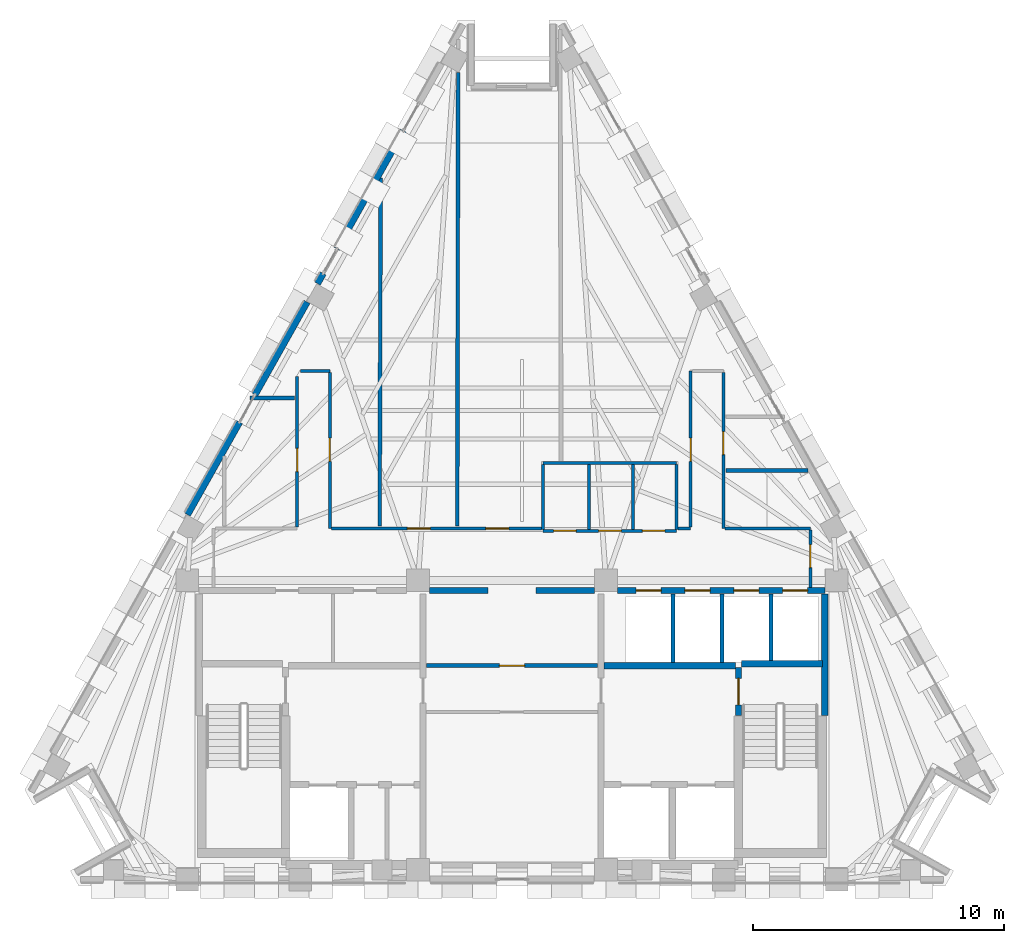
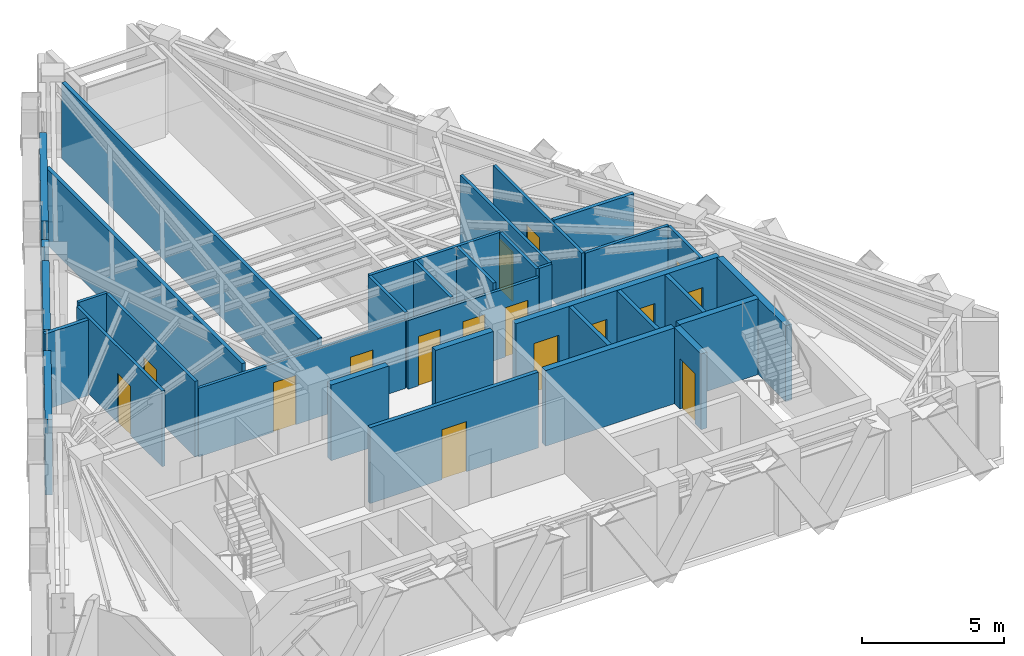
# One storey, part 6 of 9: 34 walls, 16 doors, 16 openings.
"""IFC4 building model written with IfcOpenShell, lengths in metres."""

from ifc_helpers import new_model, si_unit, direction, frame, frame_2d, origin, place, context, subcontext, project, spatial, rectangle, extrude, material, layer, layer_set, type_object, element, fill, save


model = new_model("IFC4")

# Units and contexts
model_context = context("Model", 3, precision=1e-05, world=origin(), true_north=direction((0.0, 1.0)))
body_context = subcontext(model_context, "Body", "Model", "MODEL_VIEW")
ifc_project = project(units=[si_unit("LENGTHUNIT", "METRE"), si_unit("AREAUNIT", "SQUARE_METRE"), si_unit("VOLUMEUNIT", "CUBIC_METRE"), si_unit("PLANEANGLEUNIT", "RADIAN"), si_unit("MASSUNIT", "GRAM", prefix="KILO")], contexts=[model_context])

# Site, building, storey
site_placement = place(None, origin())
site = spatial("IfcSite", under=ifc_project, at=site_placement, CompositionType="ELEMENT")
building_placement = place(site_placement, origin())
building = spatial("IfcBuilding", under=site, at=building_placement, Name="Quenlor Broadcast Tower", CompositionType="ELEMENT")
storey_placement = place(building_placement, frame((0.0, 0.0, 260.39990234375)))
storey = spatial("IfcBuildingStorey", under=building, at=storey_placement, Name="L72", CompositionType="ELEMENT", Elevation=260.39990234375)

# Walls
ifc_material_1 = material(Name="Acoustic Double Stud Gypsum Partition", Category="other")
ifc_layer_1 = layer(ifc_material_1, 0.14990234375)
ifc_layer_set_1 = layer_set([ifc_layer_1], Name="Broadcast Studio Acoustic Partition 150")
wall_type_1 = type_object("IfcWallType", Name="Broadcast Studio Acoustic Partition 150", PredefinedType="PARTITIONING", material=ifc_layer_set_1)
wall_1_placement = place(storey_placement, frame((-2.184326171875, -2.6201171875, 0.0), z_axis=(0.0, 0.0, 1.0), x_axis=(0.002010385197, 0.999997979174, 0.0)))
element("IfcWall", 1, at=wall_1_placement, inside=storey, type_object=wall_type_1, Name="L72 Interior Wall PW-DV-02", PredefinedType="PARTITIONING", context=body_context, shape_type="SweptSolid", body=[
    extrude(rectangle(XDim=18.094482421875, YDim=0.14990234375, at=frame_2d((9.04736328125, 0.0))), origin(), (0.0, 0.0, 1.0), 3.25),
])
wall_2_placement = place(storey_placement, frame((-5.279541015625, -2.6201171875, 0.0), z_axis=(0.0, 0.0, 1.0), x_axis=(0.002780553459, 0.999996134254, 0.0)))
element("IfcWall", 2, at=wall_2_placement, inside=storey, type_object=wall_type_1, Name="L72 Interior Wall PW-DV-04", PredefinedType="PARTITIONING", context=body_context, shape_type="SweptSolid", body=[
    extrude(rectangle(XDim=13.872802734375, YDim=0.14990234375, at=frame_2d((6.9365234375, 0.0))), origin(), (0.0, 0.0, 1.0), 3.25),
])
wall_3_placement = place(storey_placement, frame((-8.679931640625, 2.47998046875, 0.0), z_axis=(0.0, 0.0, 1.0), x_axis=(-1.0, 0.0, 0.0)))
element("IfcWall", 3, at=wall_3_placement, inside=storey, type_object=wall_type_1, Name="L72 Interior Wall PW-DV-05", PredefinedType="PARTITIONING", context=body_context, shape_type="SweptSolid", body=[
    extrude(rectangle(XDim=1.767578125, YDim=0.14990234375, at=frame_2d((0.8837890625, 0.0))), origin(), (0.0, 0.0, 1.0), 3.25),
])
wall_4_placement = place(storey_placement, frame((11.80126953125, -0.410400390625, 0.0), z_axis=(0.0, 0.0, 1.0), x_axis=(-1.0, 0.0, 0.0)))
element("IfcWall", 4, at=wall_4_placement, inside=storey, type_object=wall_type_1, Name="L72 Interior Wall PW-DV-06", PredefinedType="PARTITIONING", context=body_context, shape_type="SweptSolid", body=[
    extrude(rectangle(XDim=3.26123046875, YDim=0.14990234375, at=frame_2d((1.630615234375, 0.0))), origin(), (0.0, 0.0, 1.0), 3.25),
])

# Wall, opening, door
ifc_material_2 = material(Name="Concrete C40/50", Category="concrete")
ifc_layer_2 = layer(ifc_material_2, 0.25)
ifc_layer_set_2 = layer_set([ifc_layer_2], Name="Fire Rated Concrete C40/50 Core Wall 250")
wall_type_2 = type_object("IfcWallType", Name="Fire Rated Concrete C40/50 Core Wall 250", PredefinedType="PARTITIONING", material=ifc_layer_set_2)
wall_5_placement = place(storey_placement, frame((9.0400390625, -10.179931640625, 0.0), z_axis=(0.0, 0.0, 1.0), x_axis=(0.0, 1.0, 0.0)))
wall_5 = element("IfcWall", 5, at=wall_5_placement, inside=storey, type_object=wall_type_2, Name="L72 Interior Wall CW-ST2-DR", PredefinedType="PARTITIONING", context=body_context, shape_type="SweptSolid", body=[
    extrude(rectangle(XDim=1.89990234375, YDim=0.25, at=frame_2d((0.949951171875, 0.0))), origin(), (0.0, 0.0, 1.0), 3.25),
])
opening_1_placement = place(wall_5_placement, frame((0.419921875, 0.0, 0.0)))
opening_1 = element("IfcOpeningElement", 6, at=opening_1_placement, cuts=wall_5, Name="Opening FD-1", PredefinedType="OPENING", context=body_context, shape_type="SweptSolid", body=[
    extrude(rectangle(XDim=1.050048828125, YDim=2.14990234375, at=frame_2d((0.52490234375, 1.074951171875))), frame((0.0, 0.135009765625, 0.0), z_axis=(0.0, -1.0, 0.0), x_axis=(1.0, 0.0, 0.0)), (0.0, 0.0, 1.0), 0.27001953125),
])
ifc_material_3 = material(Name="Fire Rated Steel Door Leaf", Category="steel")
door_type_1 = type_object("IfcDoorType", Name="Fire Isolated Stair Door 1050x2150", OperationType="NOTDEFINED", PredefinedType="DOOR", material=ifc_material_3)
door_1_placement = place(opening_1_placement, origin())
door_1 = element("IfcDoor", 7, at=door_1_placement, inside=storey, type_object=door_type_1, Name="L72 Door DR-ST2", OperationType="SINGLE_SWING_RIGHT", OverallHeight=2.14990234375, OverallWidth=1.050048828125, PredefinedType="DOOR", context=body_context, shape_type="SweptSolid", body=[
    extrude(rectangle(XDim=1.050048828125, YDim=2.14990234375, at=frame_2d((0.52490234375, 1.074951171875))), frame((0.0, 0.02490234375, 0.0), z_axis=(0.0, -1.0, 0.0), x_axis=(1.0, 0.0, 0.0)), (0.0, 0.0, 1.0), 0.050048828125),
])
fill(opening_1, door_1)

# Walls
wall_6_placement = place(storey_placement, frame((9.159912109375, -8.1201171875, 0.0), z_axis=(0.0, 0.0, 1.0), x_axis=(1.0, 0.0, 0.0)))
element("IfcWall", 8, at=wall_6_placement, inside=storey, type_object=wall_type_2, Name="L72 Interior Wall CW-ST2-N", PredefinedType="PARTITIONING", context=body_context, shape_type="SweptSolid", body=[
    extrude(rectangle(XDim=3.219970703125, YDim=0.25, at=frame_2d((1.60986328125, 0.0))), origin(), (0.0, 0.0, 1.0), 3.25),
])
wall_7_placement = place(storey_placement, frame((12.47998046875, -10.179931640625, 0.0), z_axis=(0.0, 0.0, 1.0), x_axis=(0.0, 1.0, 0.0)))
element("IfcWall", 9, at=wall_7_placement, inside=storey, type_object=wall_type_2, Name="L72 Interior Wall CW-ST2-E2", PredefinedType="PARTITIONING", context=body_context, shape_type="SweptSolid", body=[
    extrude(rectangle(XDim=4.83984375, YDim=0.25, at=frame_2d((2.419921875, 0.0))), origin(), (0.0, 0.0, 1.0), 3.25),
])
wall_8_placement = place(storey_placement, frame((3.679931640625, -8.199951171875, 0.0), z_axis=(0.0, 0.0, 1.0), x_axis=(1.0, 0.0, 0.0)))
element("IfcWall", 10, at=wall_8_placement, inside=storey, type_object=wall_type_2, Name="L72 Interior Wall CW-FFE-N", PredefinedType="PARTITIONING", context=body_context, shape_type="SweptSolid", body=[
    extrude(rectangle(XDim=5.239990234375, YDim=0.25, at=frame_2d((2.6201171875, 0.0))), origin(), (0.0, 0.0, 1.0), 3.25),
])

# Wall, openings, doors
wall_9_placement = place(storey_placement, frame((4.201904296875, -5.199951171875, 0.0), z_axis=(0.0, 0.0, 1.0), x_axis=(1.0, 0.0, 0.0)))
wall_9 = element("IfcWall", 11, at=wall_9_placement, inside=storey, type_object=wall_type_2, Name="L72 Interior Wall CW-N-E", PredefinedType="PARTITIONING", context=body_context, shape_type="SweptSolid", body=[
    extrude(rectangle(XDim=8.278076171875, YDim=0.25, at=frame_2d((4.13916015625, 0.0))), origin(), (0.0, 0.0, 1.0), 3.25),
])
opening_2_placement = place(wall_9_placement, frame((0.748046875, 0.0, 0.0)))
opening_2 = element("IfcOpeningElement", 12, at=opening_2_placement, cuts=wall_9, Name="Opening LD-PL-H1", PredefinedType="OPENING", context=body_context, shape_type="SweptSolid", body=[
    extrude(rectangle(XDim=1.0, YDim=2.14990234375, at=frame_2d((0.5, 1.074951171875))), frame((0.0, 0.135009765625, 0.0), z_axis=(0.0, -1.0, 0.0), x_axis=(1.0, 0.0, 0.0)), (0.0, 0.0, 1.0), 0.27001953125),
])
opening_3_placement = place(wall_9_placement, frame((2.697998046875, 0.0, 0.0)))
opening_3 = element("IfcOpeningElement", 13, at=opening_3_placement, cuts=wall_9, Name="Opening LD-PL-H2", PredefinedType="OPENING", context=body_context, shape_type="SweptSolid", body=[
    extrude(rectangle(XDim=1.0, YDim=2.14990234375, at=frame_2d((0.5, 1.074951171875))), frame((0.0, 0.135009765625, 0.0), z_axis=(0.0, -1.0, 0.0), x_axis=(1.0, 0.0, 0.0)), (0.0, 0.0, 1.0), 0.27001953125),
])
opening_4_placement = place(wall_9_placement, frame((4.64794921875, 0.0, 0.0)))
opening_4 = element("IfcOpeningElement", 14, at=opening_4_placement, cuts=wall_9, Name="Opening LD-PL-H3", PredefinedType="OPENING", context=body_context, shape_type="SweptSolid", body=[
    extrude(rectangle(XDim=1.0, YDim=2.14990234375, at=frame_2d((0.5, 1.074951171875))), frame((0.0, 0.135009765625, 0.0), z_axis=(0.0, -1.0, 0.0), x_axis=(1.0, 0.0, 0.0)), (0.0, 0.0, 1.0), 0.27001953125),
])
opening_5_placement = place(wall_9_placement, frame((6.597900390625, 0.0, 0.0)))
opening_5 = element("IfcOpeningElement", 15, at=opening_5_placement, cuts=wall_9, Name="Opening LD-PL-H4", PredefinedType="OPENING", context=body_context, shape_type="SweptSolid", body=[
    extrude(rectangle(XDim=1.0, YDim=2.14990234375, at=frame_2d((0.5, 1.074951171875))), frame((0.0, 0.135009765625, 0.0), z_axis=(0.0, -1.0, 0.0), x_axis=(1.0, 0.0, 0.0)), (0.0, 0.0, 1.0), 0.27001953125),
])
ifc_material_4 = material(Name="Brushed Stainless Steel", Category="steel")
door_type_2 = type_object("IfcDoorType", Name="Passenger Lift Sliding Landing Door 1000x2150", OperationType="NOTDEFINED", PredefinedType="DOOR", material=ifc_material_4)
door_2_placement = place(opening_2_placement, origin())
door_2 = element("IfcDoor", 16, at=door_2_placement, inside=storey, type_object=door_type_2, Name="L72 Door LD-PL-H1", OperationType="SLIDING_TO_RIGHT", OverallHeight=2.14990234375, OverallWidth=1.0, PredefinedType="DOOR", context=body_context, shape_type="SweptSolid", body=[
    extrude(rectangle(XDim=1.0, YDim=2.14990234375, at=frame_2d((0.5, 1.074951171875))), frame((0.0, 0.02490234375, 0.0), z_axis=(0.0, -1.0, 0.0), x_axis=(1.0, 0.0, 0.0)), (0.0, 0.0, 1.0), 0.050048828125),
])
fill(opening_2, door_2)
door_3_placement = place(opening_3_placement, origin())
door_3 = element("IfcDoor", 17, at=door_3_placement, inside=storey, type_object=door_type_2, Name="L72 Door LD-PL-H2", OperationType="SLIDING_TO_RIGHT", OverallHeight=2.14990234375, OverallWidth=1.0, PredefinedType="DOOR", context=body_context, shape_type="SweptSolid", body=[
    extrude(rectangle(XDim=1.0, YDim=2.14990234375, at=frame_2d((0.5, 1.074951171875))), frame((0.0, 0.02490234375, 0.0), z_axis=(0.0, -1.0, 0.0), x_axis=(1.0, 0.0, 0.0)), (0.0, 0.0, 1.0), 0.050048828125),
])
fill(opening_3, door_3)
door_4_placement = place(opening_4_placement, origin())
door_4 = element("IfcDoor", 18, at=door_4_placement, inside=storey, type_object=door_type_2, Name="L72 Door LD-PL-H3", OperationType="SLIDING_TO_RIGHT", OverallHeight=2.14990234375, OverallWidth=1.0, PredefinedType="DOOR", context=body_context, shape_type="SweptSolid", body=[
    extrude(rectangle(XDim=1.0, YDim=2.14990234375, at=frame_2d((0.5, 1.074951171875))), frame((0.0, 0.02490234375, 0.0), z_axis=(0.0, -1.0, 0.0), x_axis=(1.0, 0.0, 0.0)), (0.0, 0.0, 1.0), 0.050048828125),
])
fill(opening_4, door_4)
door_5_placement = place(opening_5_placement, origin())
door_5 = element("IfcDoor", 19, at=door_5_placement, inside=storey, type_object=door_type_2, Name="L72 Door LD-PL-H4", OperationType="SLIDING_TO_RIGHT", OverallHeight=2.14990234375, OverallWidth=1.0, PredefinedType="DOOR", context=body_context, shape_type="SweptSolid", body=[
    extrude(rectangle(XDim=1.0, YDim=2.14990234375, at=frame_2d((0.5, 1.074951171875))), frame((0.0, 0.02490234375, 0.0), z_axis=(0.0, -1.0, 0.0), x_axis=(1.0, 0.0, 0.0)), (0.0, 0.0, 1.0), 0.050048828125),
])
fill(opening_5, door_5)

# Walls
for number, where, z_axis, x_axis, name in (
    (20, (-3.298095703125, -5.199951171875, 0.0), (0.0, 0.0, 1.0), (1.0, 0.0, 0.0), "L72 Interior Wall CW-N-M1"),
    (21, (0.949951171875, -5.199951171875, 0.0), (0.0, 0.0, 1.0), (1.0, 0.0, 0.0), "L72 Interior Wall CW-N-M2"),
):
    element("IfcWall", number, at=place(storey_placement, frame(where, z_axis=z_axis, x_axis=x_axis)), inside=storey, type_object=wall_type_2, Name=name, PredefinedType="PARTITIONING", context=body_context, shape_type="SweptSolid", body=[
        extrude(rectangle(XDim=2.34814453125, YDim=0.25, at=frame_2d((1.174072265625, 0.0))), origin(), (0.0, 0.0, 1.0), 3.25),
    ])
ifc_material_5 = material(Name="Gypsum Fireboard Partition", Category="other")
ifc_layer_3 = layer(ifc_material_5, 0.159912109375)
ifc_layer_set_3 = layer_set([ifc_layer_3], Name="Fire Rated Shaft and Corridor Partition 160")
wall_type_3 = type_object("IfcWallType", Name="Fire Rated Shaft and Corridor Partition 160", PredefinedType="PARTITIONING", material=ifc_layer_set_3)
for number, where, z_axis, x_axis, name in (
    (22, (6.425048828125, -8.072998046875, 0.0), (0.0, 0.0, 1.0), (0.0, 1.0, 0.0), "L72 Interior Wall CW-PLH-D1"),
    (23, (8.375, -8.072998046875, 0.0), (0.0, 0.0, 1.0), (0.0, 1.0, 0.0), "L72 Interior Wall CW-PLH-D2"),
):
    element("IfcWall", number, at=place(storey_placement, frame(where, z_axis=z_axis, x_axis=x_axis)), inside=storey, type_object=wall_type_3, Name=name, PredefinedType="PARTITIONING", context=body_context, shape_type="SweptSolid", body=[
        extrude(rectangle(XDim=2.73291015625, YDim=0.159912109375, at=frame_2d((1.366455078125, 0.0))), origin(), (0.0, 0.0, 1.0), 3.25),
    ])
wall_10_placement = place(storey_placement, frame((10.324951171875, -7.992919921875, 0.0), z_axis=(0.0, 0.0, 1.0), x_axis=(0.0, 1.0, 0.0)))
element("IfcWall", 24, at=wall_10_placement, inside=storey, type_object=wall_type_3, Name="L72 Interior Wall CW-PLH-D3", PredefinedType="PARTITIONING", context=body_context, shape_type="SweptSolid", body=[
    extrude(rectangle(XDim=2.65283203125, YDim=0.159912109375, at=frame_2d((1.326416015625, 0.0))), origin(), (0.0, 0.0, 1.0), 3.25),
])

# Wall, opening, door
wall_11_placement = place(storey_placement, frame((-3.419921875, -8.199951171875, 0.0), z_axis=(0.0, 0.0, 1.0), x_axis=(1.0, 0.0, 0.0)))
wall_11 = element("IfcWall", 25, at=wall_11_placement, inside=storey, type_object=wall_type_3, Name="L72 Interior Wall CW-M-BACK", PredefinedType="PARTITIONING", context=body_context, shape_type="SweptSolid", body=[
    extrude(rectangle(XDim=6.83984375, YDim=0.159912109375, at=frame_2d((3.419921875, 0.0))), origin(), (0.0, 0.0, 1.0), 3.25),
])
opening_6_placement = place(wall_11_placement, frame((2.919921875, 0.0, 0.0)))
opening_6 = element("IfcOpeningElement", 26, at=opening_6_placement, cuts=wall_11, Name="Opening FD-2", PredefinedType="OPENING", context=body_context, shape_type="SweptSolid", body=[
    extrude(rectangle(XDim=1.0, YDim=2.14990234375, at=frame_2d((0.5, 1.074951171875))), frame((0.0, 0.08984375, 0.0), z_axis=(0.0, -1.0, 0.0), x_axis=(1.0, 0.0, 0.0)), (0.0, 0.0, 1.0), 0.179931640625),
])
ifc_material_6 = material(Name="Fire Rated Glazed Steel Door", Category="steel")
door_type_3 = type_object("IfcDoorType", Name="Firefighting Lobby Smoke Door 1000x2150", OperationType="NOTDEFINED", PredefinedType="DOOR", material=ifc_material_6)
door_6_placement = place(opening_6_placement, origin())
door_6 = element("IfcDoor", 27, at=door_6_placement, inside=storey, type_object=door_type_3, Name="L72 Door DR-CCRP", OperationType="SINGLE_SWING_LEFT", OverallHeight=2.14990234375, OverallWidth=1.0, PredefinedType="DOOR", context=body_context, shape_type="SweptSolid", body=[
    extrude(rectangle(XDim=1.0, YDim=2.14990234375, at=frame_2d((0.5, 1.074951171875))), frame((0.0, 0.02490234375, 0.0), z_axis=(0.0, -1.0, 0.0), x_axis=(1.0, 0.0, 0.0)), (0.0, 0.0, 1.0), 0.050048828125),
])
fill(opening_6, door_6)

# Wall, openings, doors
ifc_material_7 = material(Name="Gypsum Plasterboard Partition", Category="other")
ifc_layer_4 = layer(ifc_material_7, 0.1201171875)
ifc_layer_set_4 = layer_set([ifc_layer_4], Name="Standard Office Partition 120")
wall_type_4 = type_object("IfcWallType", Name="Standard Office Partition 120", PredefinedType="PARTITIONING", material=ifc_layer_set_4)
wall_12_placement = place(storey_placement, frame((1.239990234375, -2.820068359375, 0.0), z_axis=(0.0, 0.0, 1.0), x_axis=(1.0, 0.0, 0.0)))
wall_12 = element("IfcWall", 28, at=wall_12_placement, inside=storey, type_object=wall_type_4, Name="L72 Interior Wall PW-WC-S", PredefinedType="PARTITIONING", context=body_context, shape_type="SweptSolid", body=[
    extrude(rectangle(XDim=5.320068359375, YDim=0.1201171875, at=frame_2d((2.66015625, 0.0))), origin(), (0.0, 0.0, 1.0), 2.94287109375),
])
opening_7_placement = place(wall_12_placement, frame((0.419921875, 0.0, 0.0)))
opening_7 = element("IfcOpeningElement", 29, at=opening_7_placement, cuts=wall_12, Name="Opening ID-3", PredefinedType="OPENING", context=body_context, shape_type="SweptSolid", body=[
    extrude(rectangle(XDim=0.89990234375, YDim=2.1201171875, at=frame_2d((0.449951171875, 1.06005859375))), frame((0.0, 0.070068359375, 0.0), z_axis=(0.0, -1.0, 0.0), x_axis=(1.0, 0.0, 0.0)), (0.0, 0.0, 1.0), 0.14013671875),
])
opening_8_placement = place(wall_12_placement, frame((2.219970703125, 0.0, 0.0)))
opening_8 = element("IfcOpeningElement", 30, at=opening_8_placement, cuts=wall_12, Name="Opening ID-3", PredefinedType="OPENING", context=body_context, shape_type="SweptSolid", body=[
    extrude(rectangle(XDim=0.89990234375, YDim=2.1201171875, at=frame_2d((0.449951171875, 1.06005859375))), frame((0.0, 0.070068359375, 0.0), z_axis=(0.0, -1.0, 0.0), x_axis=(1.0, 0.0, 0.0)), (0.0, 0.0, 1.0), 0.14013671875),
])
opening_9_placement = place(wall_12_placement, frame((3.9599609375, 0.0, 0.0)))
opening_9 = element("IfcOpeningElement", 31, at=opening_9_placement, cuts=wall_12, Name="Opening ID-3", PredefinedType="OPENING", context=body_context, shape_type="SweptSolid", body=[
    extrude(rectangle(XDim=0.89990234375, YDim=2.1201171875, at=frame_2d((0.449951171875, 1.06005859375))), frame((0.0, 0.070068359375, 0.0), z_axis=(0.0, -1.0, 0.0), x_axis=(1.0, 0.0, 0.0)), (0.0, 0.0, 1.0), 0.14013671875),
])
ifc_material_8 = material(Name="Moisture Resistant Timber Oak", Category="wood")
door_type_4 = type_object("IfcDoorType", Name="Washroom Privacy Door 900x2120", OperationType="NOTDEFINED", PredefinedType="DOOR", material=ifc_material_8)
door_7_placement = place(opening_7_placement, origin())
door_7 = element("IfcDoor", 32, at=door_7_placement, inside=storey, type_object=door_type_4, Name="L72 Door DR-AWC", OperationType="SINGLE_SWING_LEFT", OverallHeight=2.1201171875, OverallWidth=0.89990234375, PredefinedType="DOOR", context=body_context, shape_type="SweptSolid", body=[
    extrude(rectangle(XDim=0.89990234375, YDim=2.1201171875, at=frame_2d((0.449951171875, 1.06005859375))), frame((0.0, 0.02490234375, 0.0), z_axis=(0.0, -1.0, 0.0), x_axis=(1.0, 0.0, 0.0)), (0.0, 0.0, 1.0), 0.050048828125),
])
fill(opening_7, door_7)
door_8_placement = place(opening_8_placement, origin())
door_8 = element("IfcDoor", 33, at=door_8_placement, inside=storey, type_object=door_type_4, Name="L72 Door DR-MWC", OperationType="SINGLE_SWING_LEFT", OverallHeight=2.1201171875, OverallWidth=0.89990234375, PredefinedType="DOOR", context=body_context, shape_type="SweptSolid", body=[
    extrude(rectangle(XDim=0.89990234375, YDim=2.1201171875, at=frame_2d((0.449951171875, 1.06005859375))), frame((0.0, 0.02490234375, 0.0), z_axis=(0.0, -1.0, 0.0), x_axis=(1.0, 0.0, 0.0)), (0.0, 0.0, 1.0), 0.050048828125),
])
fill(opening_8, door_8)
door_9_placement = place(opening_9_placement, origin())
door_9 = element("IfcDoor", 34, at=door_9_placement, inside=storey, type_object=door_type_4, Name="L72 Door DR-FWC", OperationType="SINGLE_SWING_RIGHT", OverallHeight=2.1201171875, OverallWidth=0.89990234375, PredefinedType="DOOR", context=body_context, shape_type="SweptSolid", body=[
    extrude(rectangle(XDim=0.89990234375, YDim=2.1201171875, at=frame_2d((0.449951171875, 1.06005859375))), frame((0.0, 0.02490234375, 0.0), z_axis=(0.0, -1.0, 0.0), x_axis=(1.0, 0.0, 0.0)), (0.0, 0.0, 1.0), 0.050048828125),
])
fill(opening_9, door_9)

# Walls
wall_13_placement = place(storey_placement, frame((1.239990234375, -0.1201171875, 0.0), z_axis=(0.0, 0.0, 1.0), x_axis=(1.0, 0.0, 0.0)))
element("IfcWall", 35, at=wall_13_placement, inside=storey, type_object=wall_type_4, Name="L72 Interior Wall PW-WC-N", PredefinedType="PARTITIONING", context=body_context, shape_type="SweptSolid", body=[
    extrude(rectangle(XDim=5.320068359375, YDim=0.1201171875, at=frame_2d((2.66015625, 0.0))), origin(), (0.0, 0.0, 1.0), 3.25),
])
for number, where, z_axis, x_axis, name in (
    (36, (1.239990234375, -2.758056640625, 0.0), (0.0, 0.0, 1.0), (0.0, 1.0, 0.0), "L72 Interior Wall PW-WC-W"),
    (37, (3.080078125, -2.758056640625, 0.0), (0.0, 0.0, 1.0), (0.0, 1.0, 0.0), "L72 Interior Wall PW-WC-M1"),
    (38, (4.820068359375, -2.758056640625, 0.0), (0.0, 0.0, 1.0), (0.0, 1.0, 0.0), "L72 Interior Wall PW-WC-M2"),
    (39, (6.56005859375, -2.758056640625, 0.0), (0.0, 0.0, 1.0), (0.0, 1.0, 0.0), "L72 Interior Wall PW-WC-E"),
):
    element("IfcWall", number, at=place(storey_placement, frame(where, z_axis=z_axis, x_axis=x_axis)), inside=storey, type_object=wall_type_4, Name=name, PredefinedType="PARTITIONING", context=body_context, shape_type="SweptSolid", body=[
        extrude(rectangle(XDim=2.576171875, YDim=0.1201171875, at=frame_2d((1.2880859375, 0.0))), origin(), (0.0, 0.0, 1.0), 3.25),
    ])

# Wall, opening, door
wall_14_placement = place(storey_placement, frame((-8.570068359375, -2.66796875, 0.0), z_axis=(0.0, 0.0, 1.0), x_axis=(0.0, 1.0, 0.0)))
wall_14 = element("IfcWall", 40, at=wall_14_placement, inside=storey, type_object=wall_type_4, Name="L72 Interior Wall PW-CR-03", PredefinedType="PARTITIONING", context=body_context, shape_type="SweptSolid", body=[
    extrude(rectangle(XDim=5.9970703125, YDim=0.1201171875, at=frame_2d((2.99853515625, 0.0))), origin(), (0.0, 0.0, 1.0), 3.25),
])
opening_10_placement = place(wall_14_placement, frame((2.2119140625, 0.0, 0.0)))
opening_10 = element("IfcOpeningElement", 41, at=opening_10_placement, cuts=wall_14, Name="Opening ID-1", PredefinedType="OPENING", context=body_context, shape_type="SweptSolid", body=[
    extrude(rectangle(XDim=0.919921875, YDim=2.1201171875, at=frame_2d((0.4599609375, 1.06005859375))), frame((0.0, 0.070068359375, 0.0), z_axis=(0.0, -1.0, 0.0), x_axis=(1.0, 0.0, 0.0)), (0.0, 0.0, 1.0), 0.14013671875),
])
ifc_material_9 = material(Name="Solid Core Timber Oak", Category="wood")
door_type_5 = type_object("IfcDoorType", Name="Single Leaf Timber Office Door 920x2120", OperationType="NOTDEFINED", PredefinedType="DOOR", material=ifc_material_9)
door_10_placement = place(opening_10_placement, origin())
door_10 = element("IfcDoor", 42, at=door_10_placement, inside=storey, type_object=door_type_5, Name="L72 Door DR-RM06", OperationType="SINGLE_SWING_LEFT", OverallHeight=2.1201171875, OverallWidth=0.919921875, PredefinedType="DOOR", context=body_context, shape_type="SweptSolid", body=[
    extrude(rectangle(XDim=0.919921875, YDim=2.1201171875, at=frame_2d((0.4599609375, 1.06005859375))), frame((0.0, 0.02490234375, 0.0), z_axis=(0.0, -1.0, 0.0), x_axis=(1.0, 0.0, 0.0)), (0.0, 0.0, 1.0), 0.050048828125),
])
fill(opening_10, door_10)

# Wall
wall_15_placement = place(storey_placement, frame((-8.440185546875, 3.56005859375, 0.0), z_axis=(0.0, 0.0, 1.0), x_axis=(1.0, 0.0, 0.0)))
element("IfcWall", 43, at=wall_15_placement, inside=storey, type_object=wall_type_4, Name="L72 Interior Wall PW-CR-04", PredefinedType="PARTITIONING", context=body_context, shape_type="SweptSolid", body=[
    extrude(rectangle(XDim=1.170166015625, YDim=0.1201171875, at=frame_2d((0.5849609375, 0.0))), origin(), (0.0, 0.0, 1.0), 3.25),
])

# Wall, opening, door
wall_16_placement = place(storey_placement, frame((-7.27001953125, 3.498046875, 0.0), z_axis=(0.0, 0.0, 1.0), x_axis=(0.0, -1.0, 0.0)))
wall_16 = element("IfcWall", 44, at=wall_16_placement, inside=storey, type_object=wall_type_4, Name="L72 Interior Wall PW-CR-05", PredefinedType="PARTITIONING", context=body_context, shape_type="SweptSolid", body=[
    extrude(rectangle(XDim=6.22802734375, YDim=0.1201171875, at=frame_2d((3.114013671875, 0.0))), origin(), (0.0, 0.0, 1.0), 3.25),
])
opening_11_placement = place(wall_16_placement, frame((2.623046875, 0.0, 0.0)))
opening_11 = element("IfcOpeningElement", 45, at=opening_11_placement, cuts=wall_16, Name="Opening ID-1", PredefinedType="OPENING", context=body_context, shape_type="SweptSolid", body=[
    extrude(rectangle(XDim=0.919921875, YDim=2.1201171875, at=frame_2d((0.4599609375, 1.06005859375))), frame((0.0, 0.070068359375, 0.0), z_axis=(0.0, -1.0, 0.0), x_axis=(1.0, 0.0, 0.0)), (0.0, 0.0, 1.0), 0.14013671875),
])
door_11_placement = place(opening_11_placement, origin())
door_11 = element("IfcDoor", 46, at=door_11_placement, inside=storey, type_object=door_type_5, Name="L72 Door DR-RM04", OperationType="SINGLE_SWING_LEFT", OverallHeight=2.1201171875, OverallWidth=0.919921875, PredefinedType="DOOR", context=body_context, shape_type="SweptSolid", body=[
    extrude(rectangle(XDim=0.919921875, YDim=2.1201171875, at=frame_2d((0.4599609375, 1.06005859375))), frame((0.0, 0.02490234375, 0.0), z_axis=(0.0, -1.0, 0.0), x_axis=(1.0, 0.0, 0.0)), (0.0, 0.0, 1.0), 0.050048828125),
])
fill(opening_11, door_11)

# Wall, openings, doors
wall_17_placement = place(storey_placement, frame((-7.2080078125, -2.72998046875, 0.0), z_axis=(0.0, 0.0, 1.0), x_axis=(1.0, 0.0, 0.0)))
wall_17 = element("IfcWall", 47, at=wall_17_placement, inside=storey, type_object=wall_type_4, Name="L72 Interior Wall PW-CR-06", PredefinedType="PARTITIONING", context=body_context, shape_type="SweptSolid", body=[
    extrude(rectangle(XDim=8.385986328125, YDim=0.1201171875, at=frame_2d((4.19287109375, 0.0))), origin(), (0.0, 0.0, 1.0), 2.94287109375),
])
opening_12_placement = place(wall_17_placement, frame((6.160888671875, 0.0, 0.0)))
opening_12 = element("IfcOpeningElement", 48, at=opening_12_placement, cuts=wall_17, Name="Opening ID-1", PredefinedType="OPENING", context=body_context, shape_type="SweptSolid", body=[
    extrude(rectangle(XDim=0.919921875, YDim=2.1201171875, at=frame_2d((0.4599609375, 1.06005859375))), frame((0.0, 0.070068359375, 0.0), z_axis=(0.0, -1.0, 0.0), x_axis=(1.0, 0.0, 0.0)), (0.0, 0.0, 1.0), 0.14013671875),
])
opening_13_placement = place(wall_17_placement, frame((3.035888671875, 0.0, 0.0)))
opening_13 = element("IfcOpeningElement", 49, at=opening_13_placement, cuts=wall_17, Name="Opening ID-1", PredefinedType="OPENING", context=body_context, shape_type="SweptSolid", body=[
    extrude(rectangle(XDim=0.919921875, YDim=2.1201171875, at=frame_2d((0.4599609375, 1.06005859375))), frame((0.0, 0.070068359375, 0.0), z_axis=(0.0, -1.0, 0.0), x_axis=(1.0, 0.0, 0.0)), (0.0, 0.0, 1.0), 0.14013671875),
])
door_12_placement = place(opening_12_placement, origin())
door_12 = element("IfcDoor", 50, at=door_12_placement, inside=storey, type_object=door_type_5, Name="L72 Door DR-RM01", OperationType="SINGLE_SWING_RIGHT", OverallHeight=2.1201171875, OverallWidth=0.919921875, PredefinedType="DOOR", context=body_context, shape_type="SweptSolid", body=[
    extrude(rectangle(XDim=0.919921875, YDim=2.1201171875, at=frame_2d((0.4599609375, 1.06005859375))), frame((0.0, 0.02490234375, 0.0), z_axis=(0.0, -1.0, 0.0), x_axis=(1.0, 0.0, 0.0)), (0.0, 0.0, 1.0), 0.050048828125),
])
fill(opening_12, door_12)
door_13_placement = place(opening_13_placement, origin())
door_13 = element("IfcDoor", 51, at=door_13_placement, inside=storey, type_object=door_type_5, Name="L72 Door DR-RM03", OperationType="SINGLE_SWING_RIGHT", OverallHeight=2.1201171875, OverallWidth=0.919921875, PredefinedType="DOOR", context=body_context, shape_type="SweptSolid", body=[
    extrude(rectangle(XDim=0.919921875, YDim=2.1201171875, at=frame_2d((0.4599609375, 1.06005859375))), frame((0.0, 0.02490234375, 0.0), z_axis=(0.0, -1.0, 0.0), x_axis=(1.0, 0.0, 0.0)), (0.0, 0.0, 1.0), 0.050048828125),
])
fill(opening_13, door_13)

# Wall
wall_18_placement = place(storey_placement, frame((6.6220703125, -2.72998046875, 0.0), z_axis=(0.0, 0.0, 1.0), x_axis=(1.0, 0.0, 0.0)))
element("IfcWall", 52, at=wall_18_placement, inside=storey, type_object=wall_type_4, Name="L72 Interior Wall PW-CR-08", PredefinedType="PARTITIONING", context=body_context, shape_type="SweptSolid", body=[
    extrude(rectangle(XDim=0.5078125, YDim=0.1201171875, at=frame_2d((0.25390625, 0.0))), origin(), (0.0, 0.0, 1.0), 3.25),
])

# Wall, opening, door
wall_19_placement = place(storey_placement, frame((7.1298828125, -2.66796875, 0.0), z_axis=(0.0, 0.0, 1.0), x_axis=(0.0, 1.0, 0.0)))
wall_19 = element("IfcWall", 53, at=wall_19_placement, inside=storey, type_object=wall_type_4, Name="L72 Interior Wall PW-CR-09", PredefinedType="PARTITIONING", context=body_context, shape_type="SweptSolid", body=[
    extrude(rectangle(XDim=6.22802734375, YDim=0.1201171875, at=frame_2d((3.114013671875, 0.0))), origin(), (0.0, 0.0, 1.0), 3.25),
])
opening_14_placement = place(wall_19_placement, frame((2.623046875, 0.0, 0.0)))
opening_14 = element("IfcOpeningElement", 54, at=opening_14_placement, cuts=wall_19, Name="Opening ID-1", PredefinedType="OPENING", context=body_context, shape_type="SweptSolid", body=[
    extrude(rectangle(XDim=0.919921875, YDim=2.1201171875, at=frame_2d((0.4599609375, 1.06005859375))), frame((0.0, 0.070068359375, 0.0), z_axis=(0.0, -1.0, 0.0), x_axis=(1.0, 0.0, 0.0)), (0.0, 0.0, 1.0), 0.14013671875),
])
door_14_placement = place(opening_14_placement, origin())
door_14 = element("IfcDoor", 55, at=door_14_placement, inside=storey, type_object=door_type_5, Name="L72 Door DR-RM02", OperationType="SINGLE_SWING_RIGHT", OverallHeight=2.1201171875, OverallWidth=0.919921875, PredefinedType="DOOR", context=body_context, shape_type="SweptSolid", body=[
    extrude(rectangle(XDim=0.919921875, YDim=2.1201171875, at=frame_2d((0.4599609375, 1.06005859375))), frame((0.0, 0.02490234375, 0.0), z_axis=(0.0, -1.0, 0.0), x_axis=(1.0, 0.0, 0.0)), (0.0, 0.0, 1.0), 0.050048828125),
])
fill(opening_14, door_14)

wall_20_placement = place(storey_placement, frame((8.429931640625, 3.498046875, 0.0), z_axis=(0.0, 0.0, 1.0), x_axis=(0.0, -1.0, 0.0)))
wall_20 = element("IfcWall", 56, at=wall_20_placement, inside=storey, type_object=wall_type_4, Name="L72 Interior Wall PW-CR-11", PredefinedType="PARTITIONING", context=body_context, shape_type="SweptSolid", body=[
    extrude(rectangle(XDim=6.22802734375, YDim=0.1201171875, at=frame_2d((3.114013671875, 0.0))), origin(), (0.0, 0.0, 1.0), 3.25),
])
opening_15_placement = place(wall_20_placement, frame((2.35791015625, 0.0, 0.0)))
opening_15 = element("IfcOpeningElement", 57, at=opening_15_placement, cuts=wall_20, Name="Opening ID-1", PredefinedType="OPENING", context=body_context, shape_type="SweptSolid", body=[
    extrude(rectangle(XDim=0.919921875, YDim=2.1201171875, at=frame_2d((0.4599609375, 1.06005859375))), frame((0.0, 0.070068359375, 0.0), z_axis=(0.0, -1.0, 0.0), x_axis=(1.0, 0.0, 0.0)), (0.0, 0.0, 1.0), 0.14013671875),
])
door_15_placement = place(opening_15_placement, origin())
door_15 = element("IfcDoor", 58, at=door_15_placement, inside=storey, type_object=door_type_5, Name="L72 Door DR-RM05", OperationType="SINGLE_SWING_RIGHT", OverallHeight=2.1201171875, OverallWidth=0.919921875, PredefinedType="DOOR", context=body_context, shape_type="SweptSolid", body=[
    extrude(rectangle(XDim=0.919921875, YDim=2.1201171875, at=frame_2d((0.4599609375, 1.06005859375))), frame((0.0, 0.02490234375, 0.0), z_axis=(0.0, -1.0, 0.0), x_axis=(1.0, 0.0, 0.0)), (0.0, 0.0, 1.0), 0.050048828125),
])
fill(opening_15, door_15)

# Wall
wall_21_placement = place(storey_placement, frame((8.491943359375, -2.72998046875, 0.0), z_axis=(0.0, 0.0, 1.0), x_axis=(1.0, 0.0, 0.0)))
element("IfcWall", 59, at=wall_21_placement, inside=storey, type_object=wall_type_4, Name="L72 Interior Wall PW-CR-12", PredefinedType="PARTITIONING", context=body_context, shape_type="SweptSolid", body=[
    extrude(rectangle(XDim=3.407958984375, YDim=0.1201171875, at=frame_2d((1.7041015625, 0.0))), origin(), (0.0, 0.0, 1.0), 3.25),
])

# Wall, opening, door
wall_22_placement = place(storey_placement, frame((11.89990234375, -2.7919921875, 0.0), z_axis=(0.0, 0.0, 1.0), x_axis=(0.0, -1.0, 0.0)))
wall_22 = element("IfcWall", 60, at=wall_22_placement, inside=storey, type_object=wall_type_4, Name="L72 Interior Wall PW-CR-13", PredefinedType="PARTITIONING", context=body_context, shape_type="SweptSolid", body=[
    extrude(rectangle(XDim=2.281005859375, YDim=0.1201171875, at=frame_2d((1.140625, 0.0))), origin(), (0.0, 0.0, 1.0), 3.25),
])
opening_16_placement = place(wall_22_placement, frame((0.577880859375, 0.0, 0.0)))
opening_16 = element("IfcOpeningElement", 61, at=opening_16_placement, cuts=wall_22, Name="Opening ID-1", PredefinedType="OPENING", context=body_context, shape_type="SweptSolid", body=[
    extrude(rectangle(XDim=0.919921875, YDim=2.1201171875, at=frame_2d((0.4599609375, 1.06005859375))), frame((0.0, 0.070068359375, 0.0), z_axis=(0.0, -1.0, 0.0), x_axis=(1.0, 0.0, 0.0)), (0.0, 0.0, 1.0), 0.14013671875),
])
door_16_placement = place(opening_16_placement, origin())
door_16 = element("IfcDoor", 62, at=door_16_placement, inside=storey, type_object=door_type_5, Name="L72 Door DR-RM07", OperationType="SINGLE_SWING_RIGHT", OverallHeight=2.1201171875, OverallWidth=0.919921875, PredefinedType="DOOR", context=body_context, shape_type="SweptSolid", body=[
    extrude(rectangle(XDim=0.919921875, YDim=2.1201171875, at=frame_2d((0.4599609375, 1.06005859375))), frame((0.0, 0.02490234375, 0.0), z_axis=(0.0, -1.0, 0.0), x_axis=(1.0, 0.0, 0.0)), (0.0, 0.0, 1.0), 0.050048828125),
])
fill(opening_16, door_16)

# Walls
ifc_material_10 = material(Name="Precast concrete C40/50", Category="concrete")
ifc_layer_5 = layer(ifc_material_10, 0.260009765625)
ifc_layer_set_5 = layer_set([ifc_layer_5], Name="Terracotta Precast Concrete C40/50 Upper Wall 260")
wall_type_5 = type_object("IfcWallType", Name="Terracotta Precast Concrete C40/50 Upper Wall 260", PredefinedType="STANDARD", material=ifc_layer_set_5)
wall_23_placement = place(storey_placement, frame((-7.760009765625, 7.043701171875, 0.0), z_axis=(0.0, 0.0, 1.0), x_axis=(0.490412424957, 0.871490478116, 0.0)))
element("IfcWall", 63, at=wall_23_placement, inside=storey, type_object=wall_type_5, Name="L72 Exterior Wall L72-NWC-SP1", PredefinedType="STANDARD", context=body_context, shape_type="SweptSolid", body=[
    extrude(rectangle(XDim=0.4599609375, YDim=0.260009765625, at=frame_2d((0.22998046875, 0.0))), origin(), (0.0, 0.0, 1.0), 3.25),
])
wall_24_placement = place(storey_placement, frame((-6.981689453125, 8.42724609375, 0.0), z_axis=(0.0, 0.0, 1.0), x_axis=(0.490265525523, 0.871573126297, 0.0)))
element("IfcWall", 64, at=wall_24_placement, inside=storey, type_object=wall_type_5, Name="L72 Exterior Wall L72-NWC-SP2", PredefinedType="STANDARD", context=body_context, shape_type="SweptSolid", body=[
    extrude(rectangle(XDim=5.408935546875, YDim=0.260009765625, at=frame_2d((2.70458984375, 0.0))), origin(), (0.0, 0.0, 1.0), 3.25),
])
wall_25_placement = place(storey_placement, frame((-12.9462890625, -2.1767578125, 0.0), z_axis=(0.0, 0.0, 1.0), x_axis=(0.490244825075, 0.871584770109, 0.0)))
element("IfcWall", 65, at=wall_25_placement, inside=storey, type_object=wall_type_5, Name="L72 Exterior Wall L72-NW-SP1", PredefinedType="STANDARD", context=body_context, shape_type="SweptSolid", body=[
    extrude(rectangle(XDim=4.237060546875, YDim=0.260009765625, at=frame_2d((2.11865234375, 0.0))), origin(), (0.0, 0.0, 1.0), 3.25),
])
wall_26_placement = place(storey_placement, frame((-10.25146484375, 2.614501953125, 0.0), z_axis=(0.0, 0.0, 1.0), x_axis=(0.490269447258, 0.871570920284, 0.0)))
element("IfcWall", 66, at=wall_26_placement, inside=storey, type_object=wall_type_5, Name="L72 Exterior Wall L72-NW-SP2", PredefinedType="STANDARD", context=body_context, shape_type="SweptSolid", body=[
    extrude(rectangle(XDim=4.23681640625, YDim=0.260009765625, at=frame_2d((2.118408203125, 0.0))), origin(), (0.0, 0.0, 1.0), 3.25),
])

save(model, "model.ifc")
